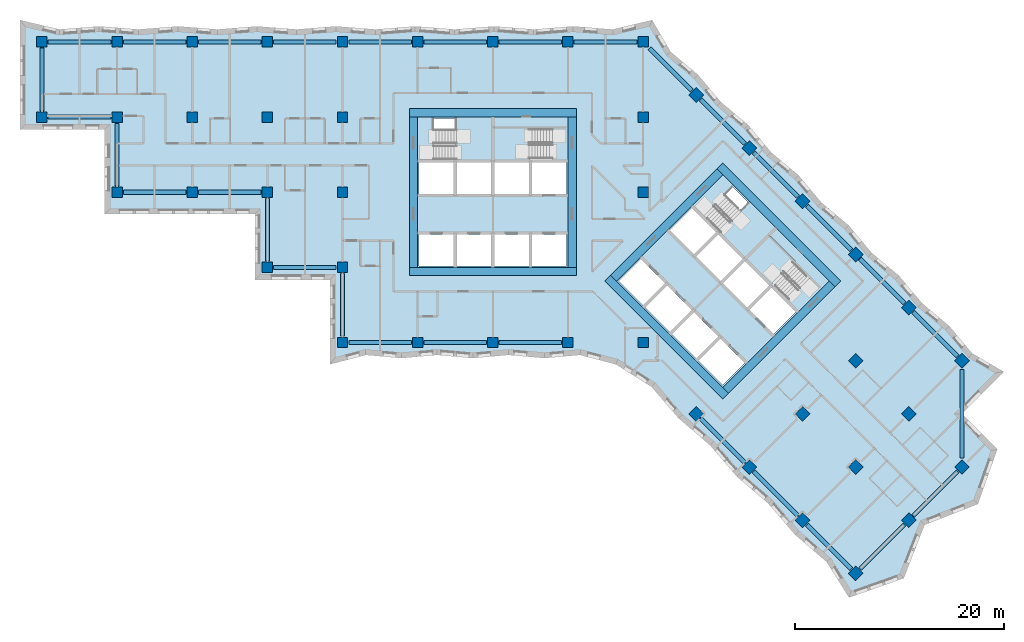
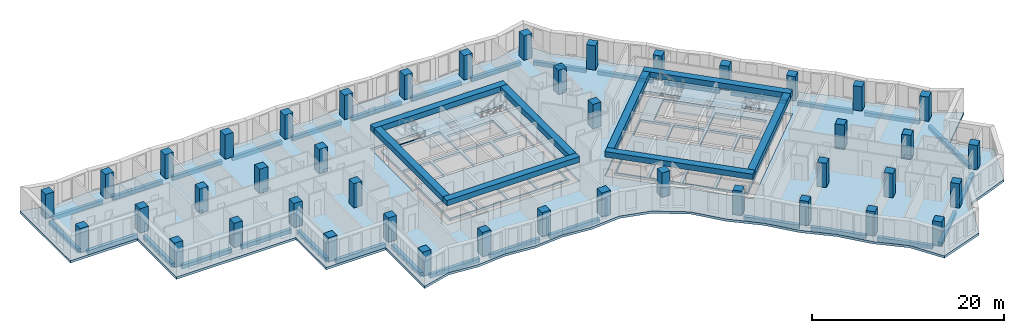
# One storey, part 1 of 12: 43 columns, 39 beams, 7 slabs, 22 openings, 4 elements without a shape of their own.
"""IFC4 building model written with IfcOpenShell, lengths in metres."""

from ifc_helpers import new_model, si_unit, direction, frame, origin, origin_2d, place, context, subcontext, project, spatial, polyline, rectangle, outline, extrude, material, layer, layer_set, material_profile, profile_set, type_object, element, aggregate, save


model = new_model("IFC4")

# Units and contexts
model_context = context("Model", 3, precision=1e-05, world=origin(), true_north=direction((0.0, 1.0)))
body_context = subcontext(model_context, "Body", "Model", "MODEL_VIEW")
ifc_project = project(units=[si_unit("LENGTHUNIT", "METRE"), si_unit("AREAUNIT", "SQUARE_METRE"), si_unit("VOLUMEUNIT", "CUBIC_METRE"), si_unit("PLANEANGLEUNIT", "RADIAN"), si_unit("MASSUNIT", "GRAM", prefix="KILO")], contexts=[model_context])

# Site, building, storey
site_placement = place(None, origin())
site = spatial("IfcSite", under=ifc_project, at=site_placement, CompositionType="ELEMENT")
building_placement = place(site_placement, origin())
building = spatial("IfcBuilding", under=site, at=building_placement, Name="Windrow Commons", CompositionType="ELEMENT")
storey_placement = place(building_placement, frame((0.0, 0.0, 81.2)))
storey = spatial("IfcBuildingStorey", under=building, at=storey_placement, Name="L21", CompositionType="ELEMENT", Elevation=81.2)

# Columns
ifc_material_1 = material(Name="Concrete C60/75", Category="concrete")
ifc_material_profile_1 = material_profile(ifc_material_1, rectangle(XDim=1.0, YDim=1.0, at=origin_2d()))
ifc_profile_set_1 = profile_set([ifc_material_profile_1], Name="Concrete C60/75")
column_type = type_object("IfcColumnType", Name="RC COLUMN 1000x1000 C60/75", PredefinedType="COLUMN", material=ifc_profile_set_1)
for number, where, z_axis, x_axis, name in (
    (1, (21.6, 64.8, 0.0), (0.0, 0.0, 1.0), (1.0, 0.0, 0.0), "C-Z2-04I"),
    (2, (21.6, 72.0, 0.0), (0.0, 0.0, 1.0), (1.0, 0.0, 0.0), "C-Z2-04J"),
    (3, (28.8, 57.6, 0.0), (0.0, 0.0, 1.0), (1.0, 0.0, 0.0), "C-Z2-05H"),
    (4, (28.8, 64.8, 0.0), (0.0, 0.0, 1.0), (1.0, 0.0, 0.0), "C-Z2-05I"),
    (5, (28.8, 72.0, 0.0), (0.0, 0.0, 1.0), (1.0, 0.0, 0.0), "C-Z2-05J"),
    (6, (36.0, 57.6, 0.0), (0.0, 0.0, 1.0), (1.0, 0.0, 0.0), "C-Z2-06H"),
    (7, (36.0, 64.8, 0.0), (0.0, 0.0, 1.0), (1.0, 0.0, 0.0), "C-Z2-06I"),
    (8, (36.0, 72.0, 0.0), (0.0, 0.0, 1.0), (1.0, 0.0, 0.0), "C-Z2-06J"),
    (9, (43.2, 50.4, 0.0), (0.0, 0.0, 1.0), (1.0, 0.0, 0.0), "C-Z2-07G"),
    (10, (43.2, 57.6, 0.0), (0.0, 0.0, 1.0), (1.0, 0.0, 0.0), "C-Z2-07H"),
    (11, (43.2, 64.8, 0.0), (0.0, 0.0, 1.0), (1.0, 0.0, 0.0), "C-Z2-07I"),
    (12, (43.2, 72.0, 0.0), (0.0, 0.0, 1.0), (1.0, 0.0, 0.0), "C-Z2-07J"),
    (13, (50.4, 43.2, 0.0), (0.0, 0.0, 1.0), (1.0, 0.0, 0.0), "C-Z2-08F"),
    (14, (50.4, 50.4, 0.0), (0.0, 0.0, 1.0), (1.0, 0.0, 0.0), "C-Z2-08G"),
    (15, (50.4, 57.6, 0.0), (0.0, 0.0, 1.0), (1.0, 0.0, 0.0), "C-Z2-08H"),
    (16, (50.4, 64.8, 0.0), (0.0, 0.0, 1.0), (1.0, 0.0, 0.0), "C-Z2-08I"),
    (17, (50.4, 72.0, 0.0), (0.0, 0.0, 1.0), (1.0, 0.0, 0.0), "C-Z2-08J"),
    (18, (57.6, 43.2, 0.0), (0.0, 0.0, 1.0), (1.0, 0.0, 0.0), "C-Z2-09F"),
    (19, (57.6, 72.0, 0.0), (0.0, 0.0, 1.0), (1.0, 0.0, 0.0), "C-Z2-09J"),
    (20, (64.8, 43.2, 0.0), (0.0, 0.0, 1.0), (1.0, 0.0, 0.0), "C-Z2-10F"),
    (21, (64.8, 72.0, 0.0), (0.0, 0.0, 1.0), (1.0, 0.0, 0.0), "C-Z2-10J"),
    (22, (72.0, 43.2, 0.0), (0.0, 0.0, 1.0), (1.0, 0.0, 0.0), "C-Z2-11F"),
    (23, (72.0, 72.0, 0.0), (0.0, 0.0, 1.0), (1.0, 0.0, 0.0), "C-Z2-11J"),
    (24, (79.2, 43.2, 0.0), (0.0, 0.0, 1.0), (1.0, 0.0, 0.0), "C-Z2-12F"),
    (25, (79.2, 57.6, 0.0), (0.0, 0.0, 1.0), (1.0, 0.0, 0.0), "C-Z2-12H"),
    (26, (79.2, 64.8, 0.0), (0.0, 0.0, 1.0), (1.0, 0.0, 0.0), "C-Z2-12I"),
    (27, (79.2, 72.0, 0.0), (0.0, 0.0, 1.0), (1.0, 0.0, 0.0), "C-Z2-12J"),
    (28, (84.2912, 66.9088, 0.0), (0.0, 0.0, 1.0), (0.7071067812, -0.7071067812, 0.0), "C-Z2-P2Q"),
    (29, (89.3823, 61.8177, 0.0), (0.0, 0.0, 1.0), (0.7071067812, -0.7071067812, 0.0), "C-Z2-P3Q"),
    (30, (94.4735, 56.7265, 0.0), (0.0, 0.0, 1.0), (0.7071067812, -0.7071067812, 0.0), "C-Z2-P4Q"),
    (31, (99.5647, 51.6353, 0.0), (0.0, 0.0, 1.0), (0.7071067812, -0.7071067812, 0.0), "C-Z2-P5Q"),
    (32, (84.2912, 36.3618, 0.0), (0.0, 0.0, 1.0), (0.7071067812, -0.7071067812, 0.0), "C-Z2-P5T"),
    (33, (104.6558, 46.5442, 0.0), (0.0, 0.0, 1.0), (0.7071067812, -0.7071067812, 0.0), "C-Z2-P6Q"),
    (34, (99.5647, 41.453, 0.0), (0.0, 0.0, 1.0), (0.7071067812, -0.7071067812, 0.0), "C-Z2-P6R"),
    (35, (94.4735, 36.3618, 0.0), (0.0, 0.0, 1.0), (0.7071067812, -0.7071067812, 0.0), "C-Z2-P6S"),
    (36, (89.3823, 31.2706, 0.0), (0.0, 0.0, 1.0), (0.7071067812, -0.7071067812, 0.0), "C-Z2-P6T"),
    (37, (109.747, 41.453, 0.0), (0.0, 0.0, 1.0), (0.7071067812, -0.7071067812, 0.0), "C-Z2-P7Q"),
    (38, (104.6558, 36.3618, 0.0), (0.0, 0.0, 1.0), (0.7071067812, -0.7071067812, 0.0), "C-Z2-P7R"),
    (39, (99.5647, 31.2706, 0.0), (0.0, 0.0, 1.0), (0.7071067812, -0.7071067812, 0.0), "C-Z2-P7S"),
    (40, (94.4735, 26.1795, 0.0), (0.0, 0.0, 1.0), (0.7071067812, -0.7071067812, 0.0), "C-Z2-P7T"),
    (41, (109.747, 31.2706, 0.0), (0.0, 0.0, 1.0), (0.7071067812, -0.7071067812, 0.0), "C-Z2-P8R"),
    (42, (104.6558, 26.1795, 0.0), (0.0, 0.0, 1.0), (0.7071067812, -0.7071067812, 0.0), "C-Z2-P8S"),
    (43, (99.5647, 21.0883, 0.0), (0.0, 0.0, 1.0), (0.7071067812, -0.7071067812, 0.0), "C-Z2-P8T"),
):
    element("IfcColumn", number, at=place(storey_placement, frame(where, z_axis=z_axis, x_axis=x_axis)), inside=storey, type_object=column_type, Name=name, PredefinedType="COLUMN", context=body_context, shape_type="SweptSolid", body=[
        extrude(rectangle(XDim=1.0, YDim=1.0, at=origin_2d()), origin(), (0.0, 0.0, 1.0), 3.1),
    ])

# Beams
ifc_material_2 = material(Name="Concrete C50/60", Category="concrete")
ifc_material_profile_2 = material_profile(ifc_material_2, rectangle(XDim=0.8, YDim=0.7, at=origin_2d()))
ifc_profile_set_2 = profile_set([ifc_material_profile_2], Name="Concrete C50/60")
beam_type_1 = type_object("IfcBeamType", Name="RC COUPLING BEAM 800x700 C50/60", PredefinedType="LINTEL", material=ifc_profile_set_2)
for number, where, z_axis, x_axis, name in (
    (44, (56.8, 50.0, 2.75), (1.0, 0.0, 0.0), (0.0, 1.0, 0.0), "Core A coupling beam outer-S"),
    (45, (56.8, 65.2, 2.75), (1.0, 0.0, 0.0), (0.0, 1.0, 0.0), "Core A coupling beam outer-N"),
):
    element("IfcBeam", number, at=place(storey_placement, frame(where, z_axis=z_axis, x_axis=x_axis)), inside=storey, type_object=beam_type_1, Name=name, PredefinedType="LINTEL", context=body_context, shape_type="SweptSolid", body=[
        extrude(rectangle(XDim=0.8, YDim=0.7, at=origin_2d()), origin(), (0.0, 0.0, 1.0), 16.0),
    ])
for number, where, z_axis, x_axis, name in (
    (46, (57.2, 50.4, 2.75), (0.0, 1.0, 0.0), (-1.0, 0.0, 0.0), "Core A coupling beam outer-W"),
    (47, (72.4, 50.4, 2.75), (0.0, 1.0, 0.0), (-1.0, 0.0, 0.0), "Core A coupling beam outer-E"),
):
    element("IfcBeam", number, at=place(storey_placement, frame(where, z_axis=z_axis, x_axis=x_axis)), inside=storey, type_object=beam_type_1, Name=name, PredefinedType="LINTEL", context=body_context, shape_type="SweptSolid", body=[
        extrude(rectangle(XDim=0.8, YDim=0.7, at=origin_2d()), origin(), (0.0, 0.0, 1.0), 14.4),
    ])
for number, where, z_axis, x_axis, name in (
    (48, (75.8059, 49.3726, 2.75), (0.7071067812, -0.7071067812, 0.0), (0.7071067812, 0.7071067812, 0.0), "Core B coupling beam outer-S"),
    (49, (86.5539, 60.1206, 2.75), (0.7071067812, -0.7071067812, 0.0), (0.7071067812, 0.7071067812, 0.0), "Core B coupling beam outer-N"),
):
    element("IfcBeam", number, at=place(storey_placement, frame(where, z_axis=z_axis, x_axis=x_axis)), inside=storey, type_object=beam_type_1, Name=name, PredefinedType="LINTEL", context=body_context, shape_type="SweptSolid", body=[
        extrude(rectangle(XDim=0.8, YDim=0.7, at=origin_2d()), origin(), (0.0, 0.0, 1.0), 16.0),
    ])
for number, where, z_axis, x_axis, name in (
    (50, (76.3716, 49.3726, 2.75), (0.7071067812, 0.7071067812, 0.0), (-0.7071067812, 0.7071067812, 0.0), "Core B coupling beam outer-W"),
    (51, (87.1196, 38.6246, 2.75), (0.7071067812, 0.7071067812, 0.0), (-0.7071067812, 0.7071067812, 0.0), "Core B coupling beam outer-E"),
):
    element("IfcBeam", number, at=place(storey_placement, frame(where, z_axis=z_axis, x_axis=x_axis)), inside=storey, type_object=beam_type_1, Name=name, PredefinedType="LINTEL", context=body_context, shape_type="SweptSolid", body=[
        extrude(rectangle(XDim=0.8, YDim=0.7, at=origin_2d()), origin(), (0.0, 0.0, 1.0), 14.3999),
    ])
ifc_material_3 = material(Name="Concrete C50/60", Category="concrete")
ifc_material_profile_3 = material_profile(ifc_material_3, rectangle(XDim=0.4, YDim=0.5, at=origin_2d()))
ifc_profile_set_3 = profile_set([ifc_material_profile_3], Name="Concrete C50/60")
beam_type_2 = type_object("IfcBeamType", Name="RC EDGE BEAM 400x500 C50/60", PredefinedType="SPANDREL", material=ifc_profile_set_3)
for number, where, z_axis, x_axis, name in (
    (52, (35.4, 57.6, -0.55), (-1.0, 0.0, 0.0), (0.0, -1.0, 0.0), "Edge beam L21 001"),
    (53, (28.8, 58.2, -0.55), (0.0, 1.0, 0.0), (-1.0, 0.0, 0.0), "Edge beam L21 002"),
    (54, (28.2, 64.8, -0.55), (-1.0, 0.0, 0.0), (0.0, -1.0, 0.0), "Edge beam L21 003"),
    (55, (21.6, 65.4, -0.55), (0.0, 1.0, 0.0), (-1.0, 0.0, 0.0), "Edge beam L21 004"),
    (56, (22.2, 72.0, -0.55), (1.0, 0.0, 0.0), (0.0, 1.0, 0.0), "Edge beam L21 005"),
    (57, (29.4, 72.0, -0.55), (1.0, 0.0, 0.0), (0.0, 1.0, 0.0), "Edge beam L21 006"),
    (58, (36.6, 72.0, -0.55), (1.0, 0.0, 0.0), (0.0, 1.0, 0.0), "Edge beam L21 007"),
    (59, (43.8, 72.0, -0.55), (1.0, 0.0, 0.0), (0.0, 1.0, 0.0), "Edge beam L21 008"),
    (60, (51.0, 72.0, -0.55), (1.0, 0.0, 0.0), (0.0, 1.0, 0.0), "Edge beam L21 009"),
    (61, (58.2, 72.0, -0.55), (1.0, 0.0, 0.0), (0.0, 1.0, 0.0), "Edge beam L21 010"),
    (62, (65.4, 72.0, -0.55), (1.0, 0.0, 0.0), (0.0, 1.0, 0.0), "Edge beam L21 011"),
    (63, (72.6, 72.0, -0.55), (1.0, 0.0, 0.0), (0.0, 1.0, 0.0), "Edge beam L21 012"),
):
    element("IfcBeam", number, at=place(storey_placement, frame(where, z_axis=z_axis, x_axis=x_axis)), inside=storey, type_object=beam_type_2, Name=name, PredefinedType="SPANDREL", context=body_context, shape_type="SweptSolid", body=[
        extrude(rectangle(XDim=0.4, YDim=0.5, at=origin_2d()), origin(), (0.0, 0.0, 1.0), 6.0),
    ])
beam_1_placement = place(storey_placement, frame((79.8, 71.4, -0.55), z_axis=(0.7071067812, -0.7071067812, 0.0), x_axis=(0.7071067812, 0.7071067812, 0.0)))
element("IfcBeam", 64, at=beam_1_placement, inside=storey, type_object=beam_type_2, Name="Edge beam L21 013", PredefinedType="SPANDREL", context=body_context, shape_type="SweptSolid", body=[
    extrude(rectangle(XDim=0.4, YDim=0.5, at=origin_2d()), origin(), (0.0, 0.0, 1.0), 5.7515),
])
beam_2_placement = place(storey_placement, frame((84.7155, 66.4845, -0.55), z_axis=(0.7071067812, -0.7071067812, 0.0), x_axis=(0.7071067812, 0.7071067812, 0.0)))
element("IfcBeam", 65, at=beam_2_placement, inside=storey, type_object=beam_type_2, Name="Edge beam L21 014", PredefinedType="SPANDREL", context=body_context, shape_type="SweptSolid", body=[
    extrude(rectangle(XDim=0.4, YDim=0.5, at=origin_2d()), origin(), (0.0, 0.0, 1.0), 5.9998),
])
for number, where, z_axis, x_axis, name in (
    (66, (89.8066, 61.3934, -0.55), (0.7071067812, -0.7071067812, 0.0), (0.7071067812, 0.7071067812, 0.0), "Edge beam L21 015"),
    (67, (94.8978, 56.3022, -0.55), (0.7071067812, -0.7071067812, 0.0), (0.7071067812, 0.7071067812, 0.0), "Edge beam L21 016"),
):
    element("IfcBeam", number, at=place(storey_placement, frame(where, z_axis=z_axis, x_axis=x_axis)), inside=storey, type_object=beam_type_2, Name=name, PredefinedType="SPANDREL", context=body_context, shape_type="SweptSolid", body=[
        extrude(rectangle(XDim=0.4, YDim=0.5, at=origin_2d()), origin(), (0.0, 0.0, 1.0), 5.9999),
    ])
beam_3_placement = place(storey_placement, frame((99.989, 51.211, -0.55), z_axis=(0.7071067812, -0.7071067812, 0.0), x_axis=(0.7071067812, 0.7071067812, 0.0)))
element("IfcBeam", 68, at=beam_3_placement, inside=storey, type_object=beam_type_2, Name="Edge beam L21 017", PredefinedType="SPANDREL", context=body_context, shape_type="SweptSolid", body=[
    extrude(rectangle(XDim=0.4, YDim=0.5, at=origin_2d()), origin(), (0.0, 0.0, 1.0), 5.9998),
])
beam_4_placement = place(storey_placement, frame((105.0801, 46.1199, -0.55), z_axis=(0.7071067812, -0.7071067812, 0.0), x_axis=(0.7071067812, 0.7071067812, 0.0)))
element("IfcBeam", 69, at=beam_4_placement, inside=storey, type_object=beam_type_2, Name="Edge beam L21 018", PredefinedType="SPANDREL", context=body_context, shape_type="SweptSolid", body=[
    extrude(rectangle(XDim=0.4, YDim=0.5, at=origin_2d()), origin(), (0.0, 0.0, 1.0), 5.9999),
])
beam_5_placement = place(storey_placement, frame((109.747, 40.6045, -0.55), z_axis=(0.0, -1.0, 0.0), x_axis=(1.0, 0.0, 0.0)))
element("IfcBeam", 70, at=beam_5_placement, inside=storey, type_object=beam_type_2, Name="Edge beam L21 019", PredefinedType="SPANDREL", context=body_context, shape_type="SweptSolid", body=[
    extrude(rectangle(XDim=0.4, YDim=0.5, at=origin_2d()), origin(), (0.0, 0.0, 1.0), 8.4854),
])
for number, where, z_axis, x_axis, name in (
    (71, (109.3227, 30.8463, -0.55), (-0.7071151146, -0.7070984476, 0.0), (0.7070984476, -0.7071151146, 0.0), "Edge beam L21 020"),
    (72, (104.2315, 25.7552, -0.55), (-0.7070984476, -0.7071151146, 0.0), (0.7071151146, -0.7070984476, 0.0), "Edge beam L21 021"),
    (73, (99.1404, 21.5126, -0.55), (-0.7071067812, 0.7071067812, 0.0), (-0.7071067812, -0.7071067812, 0.0), "Edge beam L21 022"),
    (74, (94.0492, 26.6038, -0.55), (-0.7071151146, 0.7070984476, 0.0), (-0.7070984476, -0.7071151146, 0.0), "Edge beam L21 023"),
    (75, (88.958, 31.6949, -0.55), (-0.7070984476, 0.7071151146, 0.0), (-0.7071151146, -0.7070984476, 0.0), "Edge beam L21 024"),
):
    element("IfcBeam", number, at=place(storey_placement, frame(where, z_axis=z_axis, x_axis=x_axis)), inside=storey, type_object=beam_type_2, Name=name, PredefinedType="SPANDREL", context=body_context, shape_type="SweptSolid", body=[
        extrude(rectangle(XDim=0.4, YDim=0.5, at=origin_2d()), origin(), (0.0, 0.0, 1.0), 5.9999),
    ])
for number, where, z_axis, x_axis, name in (
    (76, (71.4, 43.2, -0.55), (-1.0, 0.0, 0.0), (0.0, -1.0, 0.0), "Edge beam L21 025"),
    (77, (64.2, 43.2, -0.55), (-1.0, 0.0, 0.0), (0.0, -1.0, 0.0), "Edge beam L21 026"),
    (78, (57.0, 43.2, -0.55), (-1.0, 0.0, 0.0), (0.0, -1.0, 0.0), "Edge beam L21 027"),
    (79, (50.4, 43.8, -0.55), (0.0, 1.0, 0.0), (-1.0, 0.0, 0.0), "Edge beam L21 028"),
    (80, (49.8, 50.4, -0.55), (-1.0, 0.0, 0.0), (0.0, -1.0, 0.0), "Edge beam L21 029"),
    (81, (43.2, 51.0, -0.55), (0.0, 1.0, 0.0), (-1.0, 0.0, 0.0), "Edge beam L21 030"),
    (82, (42.6, 57.6, -0.55), (-1.0, 0.0, 0.0), (0.0, -1.0, 0.0), "Edge beam L21 031"),
):
    element("IfcBeam", number, at=place(storey_placement, frame(where, z_axis=z_axis, x_axis=x_axis)), inside=storey, type_object=beam_type_2, Name=name, PredefinedType="SPANDREL", context=body_context, shape_type="SweptSolid", body=[
        extrude(rectangle(XDim=0.4, YDim=0.5, at=origin_2d()), origin(), (0.0, 0.0, 1.0), 6.0),
    ])

# Slab, openings
ifc_material_4 = material(Name="Concrete C50/60", Category="concrete")
ifc_layer_1 = layer(ifc_material_4, 0.3)
ifc_layer_set_1 = layer_set([ifc_layer_1], Name="CORE FLOOR SLAB 300 C50/60")
slab_type_1 = type_object("IfcSlabType", Name="CORE FLOOR SLAB 300 C50/60", PredefinedType="FLOOR", material=ifc_layer_set_1)
placement_1 = place(storey_placement, frame((0.0, 0.0, -0.3)))
slab_1 = element("IfcSlab", 83, at=placement_1, inside=storey, type_object=slab_type_1, Name="S-L21-core-A", PredefinedType="FLOOR", context=body_context, shape_type="SweptSolid", body=[
    extrude(outline(polyline([(57.6, 50.4), (72.0, 50.4), (72.0, 64.8), (57.6, 64.8), (57.6, 50.4)]), holes=[polyline([(57.75, 50.55), (61.05, 50.55), (61.05, 53.55), (57.75, 53.55), (57.75, 50.55)]), polyline([(61.35, 50.55), (64.65, 50.55), (64.65, 53.55), (61.35, 53.55), (61.35, 50.55)]), polyline([(64.95, 50.55), (68.25, 50.55), (68.25, 53.55), (64.95, 53.55), (64.95, 50.55)]), polyline([(68.55, 50.55), (71.85, 50.55), (71.85, 53.55), (68.55, 53.55), (68.55, 50.55)]), polyline([(57.75, 57.45), (61.05, 57.45), (61.05, 60.45), (57.75, 60.45), (57.75, 57.45)]), polyline([(61.35, 57.45), (64.65, 57.45), (64.65, 60.45), (61.35, 60.45), (61.35, 57.45)]), polyline([(64.95, 57.45), (68.25, 57.45), (68.25, 60.45), (64.95, 60.45), (64.95, 57.45)]), polyline([(68.55, 57.45), (71.85, 57.45), (71.85, 60.45), (68.55, 60.45), (68.55, 57.45)]), polyline([(59.1, 60.75), (64.65, 60.75), (64.65, 64.65), (59.1, 64.65), (59.1, 60.75)]), polyline([(64.95, 60.75), (70.5, 60.75), (70.5, 63.705), (64.95, 63.705), (64.95, 60.75)])]), origin(), (0.0, 0.0, 1.0), 0.3),
])
opening_1_placement = place(placement_1, origin())
element("IfcOpeningElement", 84, at=opening_1_placement, cuts=slab_1, Name="Slab opening S-L21-core-A 1", PredefinedType="OPENING", context=body_context, shape_type="SweptSolid", body=[
    extrude(outline(polyline([(57.755, 50.555), (57.755, 53.545), (61.045, 53.545), (61.045, 50.555), (57.755, 50.555)])), origin(), (0.0, 0.0, 1.0), 0.3),
])
opening_2_placement = place(placement_1, origin())
element("IfcOpeningElement", 85, at=opening_2_placement, cuts=slab_1, Name="Slab opening S-L21-core-A 2", PredefinedType="OPENING", context=body_context, shape_type="SweptSolid", body=[
    extrude(outline(polyline([(61.355, 50.555), (61.355, 53.545), (64.645, 53.545), (64.645, 50.555), (61.355, 50.555)])), origin(), (0.0, 0.0, 1.0), 0.3),
])
opening_3_placement = place(placement_1, origin())
element("IfcOpeningElement", 86, at=opening_3_placement, cuts=slab_1, Name="Slab opening S-L21-core-A 3", PredefinedType="OPENING", context=body_context, shape_type="SweptSolid", body=[
    extrude(outline(polyline([(64.955, 50.555), (64.955, 53.545), (68.245, 53.545), (68.245, 50.555), (64.955, 50.555)])), origin(), (0.0, 0.0, 1.0), 0.3),
])
opening_4_placement = place(placement_1, origin())
element("IfcOpeningElement", 87, at=opening_4_placement, cuts=slab_1, Name="Slab opening S-L21-core-A 4", PredefinedType="OPENING", context=body_context, shape_type="SweptSolid", body=[
    extrude(outline(polyline([(68.555, 50.555), (68.555, 53.545), (71.845, 53.545), (71.845, 50.555), (68.555, 50.555)])), origin(), (0.0, 0.0, 1.0), 0.3),
])
opening_5_placement = place(placement_1, origin())
element("IfcOpeningElement", 88, at=opening_5_placement, cuts=slab_1, Name="Slab opening S-L21-core-A 5", PredefinedType="OPENING", context=body_context, shape_type="SweptSolid", body=[
    extrude(outline(polyline([(57.755, 57.455), (57.755, 60.445), (61.045, 60.445), (61.045, 57.455), (57.755, 57.455)])), origin(), (0.0, 0.0, 1.0), 0.3),
])
opening_6_placement = place(placement_1, origin())
element("IfcOpeningElement", 89, at=opening_6_placement, cuts=slab_1, Name="Slab opening S-L21-core-A 6", PredefinedType="OPENING", context=body_context, shape_type="SweptSolid", body=[
    extrude(outline(polyline([(61.355, 57.455), (61.355, 60.445), (64.645, 60.445), (64.645, 57.455), (61.355, 57.455)])), origin(), (0.0, 0.0, 1.0), 0.3),
])
opening_7_placement = place(placement_1, origin())
element("IfcOpeningElement", 90, at=opening_7_placement, cuts=slab_1, Name="Slab opening S-L21-core-A 7", PredefinedType="OPENING", context=body_context, shape_type="SweptSolid", body=[
    extrude(outline(polyline([(64.955, 57.455), (64.955, 60.445), (68.245, 60.445), (68.245, 57.455), (64.955, 57.455)])), origin(), (0.0, 0.0, 1.0), 0.3),
])
opening_8_placement = place(placement_1, origin())
element("IfcOpeningElement", 91, at=opening_8_placement, cuts=slab_1, Name="Slab opening S-L21-core-A 8", PredefinedType="OPENING", context=body_context, shape_type="SweptSolid", body=[
    extrude(outline(polyline([(68.555, 57.455), (68.555, 60.445), (71.845, 60.445), (71.845, 57.455), (68.555, 57.455)])), origin(), (0.0, 0.0, 1.0), 0.3),
])
opening_9_placement = place(placement_1, origin())
element("IfcOpeningElement", 92, at=opening_9_placement, cuts=slab_1, Name="Slab opening S-L21-core-A 9", PredefinedType="OPENING", context=body_context, shape_type="SweptSolid", body=[
    extrude(outline(polyline([(59.105, 60.755), (59.105, 64.645), (64.645, 64.645), (64.645, 60.755), (59.105, 60.755)])), origin(), (0.0, 0.0, 1.0), 0.3),
])
opening_10_placement = place(placement_1, origin())
element("IfcOpeningElement", 93, at=opening_10_placement, cuts=slab_1, Name="Slab opening S-L21-core-A 10", PredefinedType="OPENING", context=body_context, shape_type="SweptSolid", body=[
    extrude(outline(polyline([(64.955, 60.755), (64.955, 63.7), (70.495, 63.7), (70.495, 60.755), (64.955, 60.755)])), origin(), (0.0, 0.0, 1.0), 0.3),
])

slab_2 = element("IfcSlab", 94, at=placement_1, inside=storey, type_object=slab_type_1, Name="S-L21-core-B", PredefinedType="FLOOR", context=body_context, shape_type="SweptSolid", body=[
    extrude(outline(polyline([(76.6544, 49.0897), (86.8368, 38.9074), (97.0191, 49.0897), (86.8368, 59.2721), (76.6544, 49.0897)]), holes=[polyline([(76.8665, 49.0897), (79.2, 46.7563), (81.3213, 48.8776), (78.9879, 51.2111), (76.8665, 49.0897)]), polyline([(79.4121, 46.5442), (81.7456, 44.2107), (83.8669, 46.332), (81.5335, 48.6655), (79.4121, 46.5442)]), polyline([(81.9577, 43.9986), (84.2912, 41.6651), (86.4125, 43.7864), (84.079, 46.1199), (81.9577, 43.9986)]), polyline([(84.5033, 41.453), (86.8368, 39.1195), (88.9581, 41.2409), (86.6246, 43.5743), (84.5033, 41.453)]), polyline([(81.7456, 53.9688), (84.079, 51.6353), (86.2004, 53.7566), (83.8669, 56.0901), (81.7456, 53.9688)]), polyline([(84.2912, 51.4232), (86.6246, 49.0897), (88.7459, 51.2111), (86.4125, 53.5445), (84.2912, 51.4232)]), polyline([(86.8368, 48.8776), (89.1702, 46.5442), (91.2915, 48.6655), (88.9581, 50.9989), (86.8368, 48.8776)]), polyline([(89.3823, 46.332), (91.7158, 43.9986), (93.8371, 46.1199), (91.5037, 48.4533), (89.3823, 46.332)]), polyline([(85.0336, 55.3476), (88.9581, 51.4232), (91.7158, 54.1809), (87.7913, 58.1054), (85.0336, 55.3476)]), polyline([(89.1702, 51.2111), (93.0946, 47.2866), (95.1841, 49.3761), (91.2597, 53.3006), (89.1702, 51.2111)])]), origin(), (0.0, 0.0, 1.0), 0.3),
])
opening_11_placement = place(placement_1, origin())
element("IfcOpeningElement", 95, at=opening_11_placement, cuts=slab_2, Name="Slab opening S-L21-core-B 1", PredefinedType="OPENING", context=body_context, shape_type="SweptSolid", body=[
    extrude(outline(polyline([(76.8736, 49.0897), (78.9879, 51.204), (81.3142, 48.8776), (79.2, 46.7634), (76.8736, 49.0897)])), origin(), (0.0, 0.0, 1.0), 0.3),
])
opening_12_placement = place(placement_1, origin())
element("IfcOpeningElement", 96, at=opening_12_placement, cuts=slab_2, Name="Slab opening S-L21-core-B 2", PredefinedType="OPENING", context=body_context, shape_type="SweptSolid", body=[
    extrude(outline(polyline([(79.4192, 46.5442), (81.5335, 48.6584), (83.8598, 46.332), (81.7456, 44.2178), (79.4192, 46.5442)])), origin(), (0.0, 0.0, 1.0), 0.3),
])
opening_13_placement = place(placement_1, origin())
element("IfcOpeningElement", 97, at=opening_13_placement, cuts=slab_2, Name="Slab opening S-L21-core-B 3", PredefinedType="OPENING", context=body_context, shape_type="SweptSolid", body=[
    extrude(outline(polyline([(81.9648, 43.9986), (84.079, 46.1128), (86.4054, 43.7864), (84.2912, 41.6722), (81.9648, 43.9986)])), origin(), (0.0, 0.0, 1.0), 0.3),
])
opening_14_placement = place(placement_1, origin())
element("IfcOpeningElement", 98, at=opening_14_placement, cuts=slab_2, Name="Slab opening S-L21-core-B 4", PredefinedType="OPENING", context=body_context, shape_type="SweptSolid", body=[
    extrude(outline(polyline([(84.5104, 41.453), (86.6246, 43.5672), (88.951, 41.2409), (86.8368, 39.1266), (84.5104, 41.453)])), origin(), (0.0, 0.0, 1.0), 0.3),
])
opening_15_placement = place(placement_1, origin())
element("IfcOpeningElement", 99, at=opening_15_placement, cuts=slab_2, Name="Slab opening S-L21-core-B 5", PredefinedType="OPENING", context=body_context, shape_type="SweptSolid", body=[
    extrude(outline(polyline([(81.7527, 53.9688), (83.8669, 56.083), (86.1933, 53.7566), (84.079, 51.6424), (81.7527, 53.9688)])), origin(), (0.0, 0.0, 1.0), 0.3),
])
opening_16_placement = place(placement_1, origin())
element("IfcOpeningElement", 100, at=opening_16_placement, cuts=slab_2, Name="Slab opening S-L21-core-B 6", PredefinedType="OPENING", context=body_context, shape_type="SweptSolid", body=[
    extrude(outline(polyline([(84.2983, 51.4232), (86.4125, 53.5374), (88.7388, 51.2111), (86.6246, 49.0968), (84.2983, 51.4232)])), origin(), (0.0, 0.0, 1.0), 0.3),
])
opening_17_placement = place(placement_1, origin())
element("IfcOpeningElement", 101, at=opening_17_placement, cuts=slab_2, Name="Slab opening S-L21-core-B 7", PredefinedType="OPENING", context=body_context, shape_type="SweptSolid", body=[
    extrude(outline(polyline([(86.8439, 48.8776), (88.9581, 50.9918), (91.2844, 48.6655), (89.1702, 46.5513), (86.8439, 48.8776)])), origin(), (0.0, 0.0, 1.0), 0.3),
])
opening_18_placement = place(placement_1, origin())
element("IfcOpeningElement", 102, at=opening_18_placement, cuts=slab_2, Name="Slab opening S-L21-core-B 8", PredefinedType="OPENING", context=body_context, shape_type="SweptSolid", body=[
    extrude(outline(polyline([(89.3894, 46.332), (91.5037, 48.4462), (93.83, 46.1199), (91.7158, 44.0057), (89.3894, 46.332)])), origin(), (0.0, 0.0, 1.0), 0.3),
])
opening_19_placement = place(placement_1, origin())
element("IfcOpeningElement", 103, at=opening_19_placement, cuts=slab_2, Name="Slab opening S-L21-core-B 9", PredefinedType="OPENING", context=body_context, shape_type="SweptSolid", body=[
    extrude(outline(polyline([(85.0407, 55.3476), (87.7913, 58.0983), (91.7087, 54.1809), (88.9581, 51.4303), (85.0407, 55.3476)])), origin(), (0.0, 0.0, 1.0), 0.3),
])
opening_20_placement = place(placement_1, origin())
element("IfcOpeningElement", 104, at=opening_20_placement, cuts=slab_2, Name="Slab opening S-L21-core-B 10", PredefinedType="OPENING", context=body_context, shape_type="SweptSolid", body=[
    extrude(outline(polyline([(89.1773, 51.2111), (91.2597, 53.2935), (95.177, 49.3761), (93.0946, 47.2937), (89.1773, 51.2111)])), origin(), (0.0, 0.0, 1.0), 0.3),
])

# Stair, slab
ifc_material_5 = material(Name="Concrete C40/50", Category="concrete")
stair_type = type_object("IfcStairType", Name="Core stair", PredefinedType="HALF_TURN_STAIR", material=ifc_material_5)
placement_2 = place(storey_placement, origin())
stair_1 = element("IfcStair", 105, at=placement_2, inside=storey, type_object=stair_type, Name="L21 Exit stair A1 core A", PredefinedType="HALF_TURN_STAIR")
ifc_material_6 = material(Name="Concrete C40/50", Category="concrete")
ifc_layer_2 = layer(ifc_material_6, 0.2)
ifc_layer_set_2 = layer_set([ifc_layer_2], Name="Core stair landing")
slab_type_2 = type_object("IfcSlabType", Name="Core stair landing", PredefinedType="LANDING", material=ifc_layer_set_2)
placement_3 = place(storey_placement, frame((0.0, 0.0, 1.5)))
slab_3 = element("IfcSlab", 106, at=placement_3, type_object=slab_type_2, Name="ST-A1 landing 1", PredefinedType="LANDING", context=body_context, shape_type="SweptSolid", body=[
    extrude(outline(polyline([(61.22, 60.5), (64.8, 60.5), (64.8, 64.9), (61.22, 64.9), (61.22, 60.5)])), origin(), (0.0, 0.0, 1.0), 0.2),
])
aggregate(stair_1, [slab_3])

stair_2 = element("IfcStair", 107, at=placement_2, inside=storey, type_object=stair_type, Name="L21 Exit stair A2 core A", PredefinedType="HALF_TURN_STAIR")
slab_4 = element("IfcSlab", 108, at=placement_3, type_object=slab_type_2, Name="ST-A2 landing 1", PredefinedType="LANDING", context=body_context, shape_type="SweptSolid", body=[
    extrude(outline(polyline([(64.8, 60.5), (68.38, 60.5), (68.38, 63.855), (64.8, 63.855), (64.8, 60.5)])), origin(), (0.0, 0.0, 1.0), 0.2),
])
aggregate(stair_2, [slab_4])

stair_3 = element("IfcStair", 109, at=placement_2, inside=storey, type_object=stair_type, Name="L21 Exit stair B1 core B", PredefinedType="HALF_TURN_STAIR")
slab_5 = element("IfcSlab", 110, at=placement_3, type_object=slab_type_2, Name="ST-B1 landing 1", PredefinedType="LANDING", context=body_context, shape_type="SweptSolid", body=[
    extrude(outline(polyline([(86.3559, 53.6718), (88.8874, 51.1403), (91.9986, 54.2516), (89.4672, 56.7831), (86.3559, 53.6718)])), origin(), (0.0, 0.0, 1.0), 0.2),
])
aggregate(stair_3, [slab_5])

stair_4 = element("IfcStair", 111, at=placement_2, inside=storey, type_object=stair_type, Name="L21 Exit stair B2 core B", PredefinedType="HALF_TURN_STAIR")
slab_6 = element("IfcSlab", 112, at=placement_3, type_object=slab_type_2, Name="ST-B2 landing 1", PredefinedType="LANDING", context=body_context, shape_type="SweptSolid", body=[
    extrude(outline(polyline([(88.8874, 51.1403), (91.4188, 48.6089), (93.7911, 50.9812), (91.2597, 53.5127), (88.8874, 51.1403)])), origin(), (0.0, 0.0, 1.0), 0.2),
])
aggregate(stair_4, [slab_6])

# Slab, openings
ifc_material_7 = material(Name="Concrete C50/60", Category="concrete")
ifc_layer_3 = layer(ifc_material_7, 0.3)
ifc_layer_set_3 = layer_set([ifc_layer_3], Name="FLOOR SLAB 300 C50/60")
slab_type_3 = type_object("IfcSlabType", Name="FLOOR SLAB 300 C50/60", PredefinedType="FLOOR", material=ifc_layer_set_3)
slab_7 = element("IfcSlab", 113, at=placement_1, inside=storey, type_object=slab_type_3, Name="S-L21-floor", PredefinedType="FLOOR", context=body_context, shape_type="SweptSolid", body=[
    extrude(outline(polyline([(96.7715, 22.1844), (98.9283, 18.7549), (104.1786, 20.611), (106.1761, 25.7199), (111.285, 27.7174), (113.1411, 32.9677), (109.747, 36.3618), (113.7775, 40.3923), (110.7334, 42.1636), (108.5379, 44.7834), (105.918, 46.979), (103.7225, 49.5988), (101.1027, 51.7944), (98.9071, 54.4142), (96.2873, 56.6098), (94.0917, 59.2296), (91.4719, 61.4251), (89.2764, 64.045), (86.6566, 66.2405), (84.461, 68.8604), (81.8412, 71.0559), (80.0699, 74.1), (76.2843, 73.2), (72.4987, 73.5), (68.713, 73.2), (64.9274, 73.5), (61.1418, 73.2), (57.3562, 73.5), (53.5706, 73.2), (49.7849, 73.5), (45.9993, 73.2), (42.2137, 73.5), (38.4281, 73.2), (34.6425, 73.5), (30.8569, 73.2), (27.0712, 73.5), (23.2856, 73.2), (19.5, 74.1), (19.5, 63.6), (27.6, 63.6), (27.6, 55.5), (42.0, 55.5), (42.0, 49.2), (49.2, 49.2), (49.2, 41.1), (52.6229, 42.0), (56.0458, 41.7), (59.4687, 42.0), (62.8916, 41.7), (66.3144, 42.0), (69.7373, 41.7), (73.1602, 42.0), (76.5831, 41.1), (80.0127, 38.9433), (82.5937, 35.938), (85.599, 33.357), (88.18, 30.3517), (91.1853, 27.7707), (93.7663, 24.7654), (96.7715, 22.1844)]), holes=[polyline([(75.523, 49.0897), (86.8368, 60.4034), (98.1505, 49.0897), (86.8368, 37.776), (75.523, 49.0897)]), polyline([(56.8, 49.6), (56.8, 65.6), (72.8, 65.6), (72.8, 49.6), (56.8, 49.6)])]), origin(), (0.0, 0.0, 1.0), 0.3),
])
opening_21_placement = place(placement_1, origin())
element("IfcOpeningElement", 114, at=opening_21_placement, cuts=slab_7, Name="Slab opening S-L21-floor 1", PredefinedType="OPENING", context=body_context, shape_type="SweptSolid", body=[
    extrude(outline(polyline([(75.5301, 49.0897), (86.8368, 60.3963), (98.1434, 49.0897), (86.8368, 37.7831), (75.5301, 49.0897)])), origin(), (0.0, 0.0, 1.0), 0.3),
])
opening_22_placement = place(placement_1, origin())
element("IfcOpeningElement", 115, at=opening_22_placement, cuts=slab_7, Name="Slab opening S-L21-floor 2", PredefinedType="OPENING", context=body_context, shape_type="SweptSolid", body=[
    extrude(outline(polyline([(56.805, 49.605), (56.805, 65.595), (72.795, 65.595), (72.795, 49.605), (56.805, 49.605)])), origin(), (0.0, 0.0, 1.0), 0.3),
])

save(model, "model.ifc")
